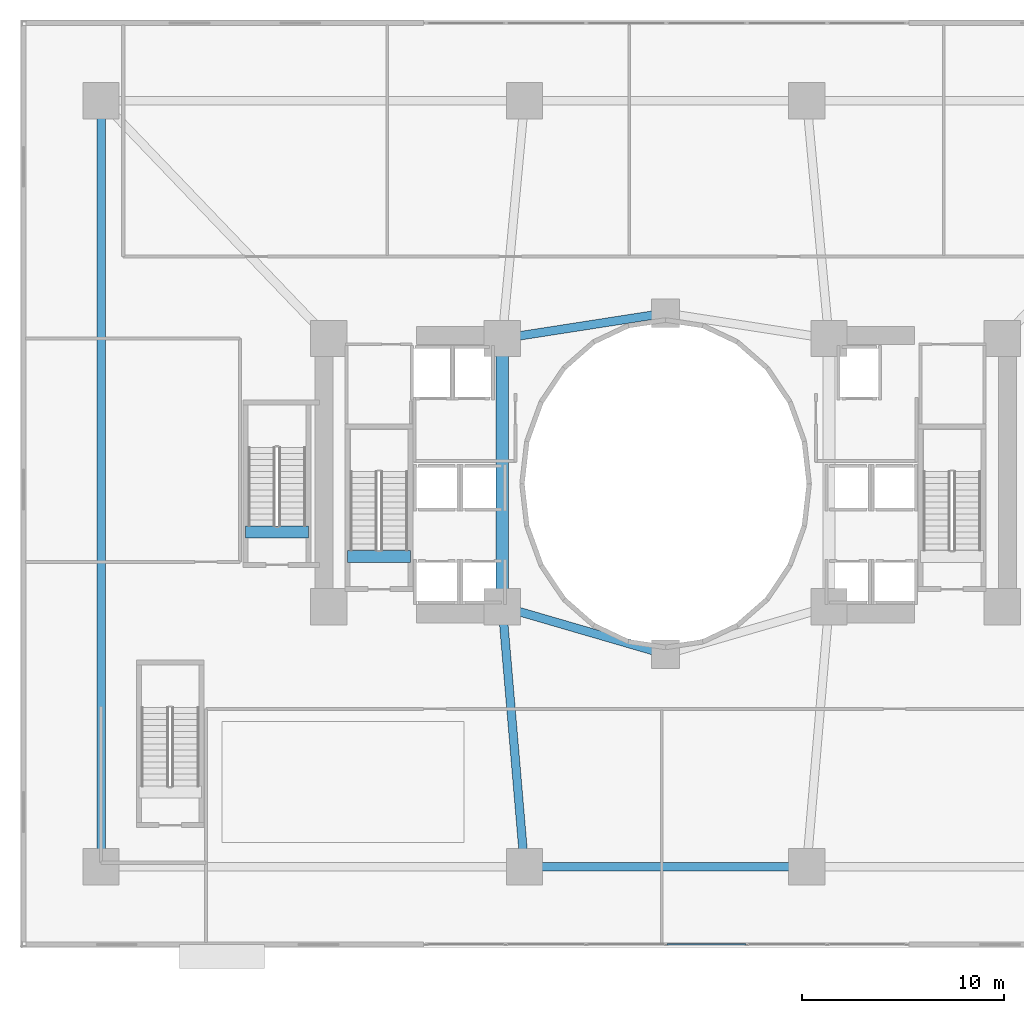
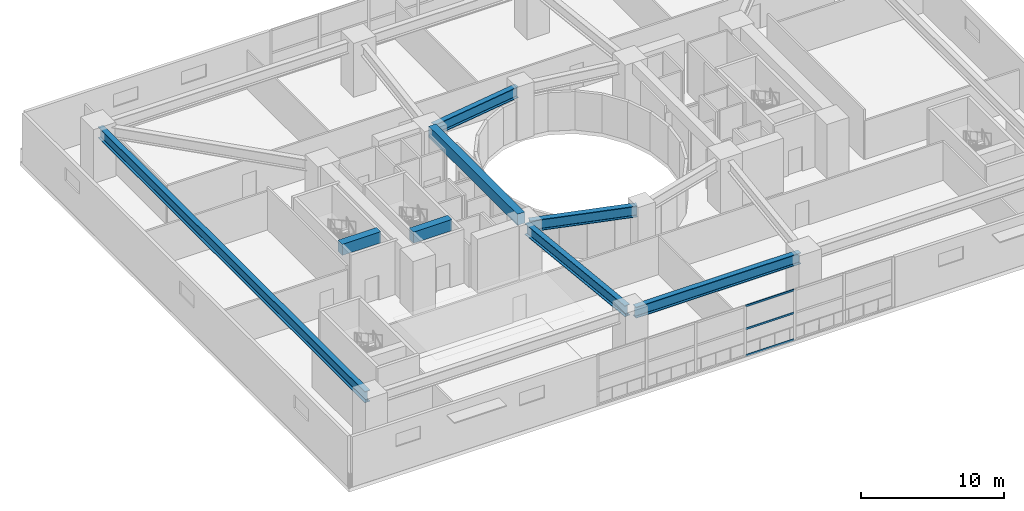
# One storey, part 3 of 20: 8 beams, 3 members, 1 element without a shape of its own.
"""IFC4 building model written with IfcOpenShell, lengths in metres."""

from ifc_helpers import new_model, si_unit, direction, frame, origin, origin_2d, place, context, subcontext, project, spatial, rectangle, hollow_rectangle, i_section, extrude, material, layer, layer_set, material_profile, profile_set, type_object, element, aggregate, save


model = new_model("IFC4")

# Units and contexts
model_context = context("Model", 3, precision=1e-05, world=origin(), true_north=direction((0.0, 1.0)))
body_context = subcontext(model_context, "Body", "Model", "MODEL_VIEW")
ifc_project = project(units=[si_unit("LENGTHUNIT", "METRE"), si_unit("AREAUNIT", "SQUARE_METRE"), si_unit("VOLUMEUNIT", "CUBIC_METRE"), si_unit("PLANEANGLEUNIT", "RADIAN"), si_unit("MASSUNIT", "GRAM", prefix="KILO")], contexts=[model_context])

# Site, building, storey
site_placement = place(None, origin())
site = spatial("IfcSite", under=ifc_project, at=site_placement, CompositionType="ELEMENT")
building_placement = place(site_placement, origin())
building = spatial("IfcBuilding", under=site, at=building_placement, Name="Solvane Sanctuary Tower", CompositionType="ELEMENT")
storey_placement = place(building_placement, frame((0.0, 0.0, 18.39990234375)))
storey = spatial("IfcBuildingStorey", under=building, at=storey_placement, Name="L05", CompositionType="ELEMENT", Elevation=18.39990234375)

# Beams
ifc_material_1 = material(Name="Concrete C70/85", Category="concrete")
ifc_material_profile_1 = material_profile(ifc_material_1, rectangle(XDim=0.60009765625, YDim=0.949951171875, at=origin_2d()), Name="RC600X950")
ifc_profile_set_1 = profile_set([ifc_material_profile_1], Name="Concrete C70/85")
beam_type_1 = type_object("IfcBeamType", Name="Beam B-COUPLE RC600X950", PredefinedType="LINTEL", material=ifc_profile_set_1)
beam_1_placement = place(storey_placement, frame((23.89990234375, 17.35009765625, 4.125), z_axis=(0.0, 1.0, 0.0), x_axis=(-1.0, 0.0, 0.0)))
element("IfcBeam", 1, at=beam_1_placement, inside=storey, type_object=beam_type_1, Name="L05 West Core Coupling Lintel", PredefinedType="LINTEL", context=body_context, shape_type="SweptSolid", body=[
    extrude(rectangle(XDim=0.60009765625, YDim=0.949951171875, at=origin_2d()), origin(), (0.0, 0.0, 1.0), 12.39990234375),
])
for number, where, z_axis, x_axis, name in (
    (2, (16.22998046875, 19.399169921875, 4.125), (1.0, 0.0, 0.0), (0.0, 1.0, 0.0), "L05 ST-1 Stair Floor Landing Trimmer"),
    (3, (11.169921875, 20.59912109375, 4.125), (1.0, 0.0, 0.0), (0.0, 1.0, 0.0), "L05 ST-3 Stair Floor Landing Trimmer"),
):
    element("IfcBeam", number, at=place(storey_placement, frame(where, z_axis=z_axis, x_axis=x_axis)), inside=storey, type_object=beam_type_1, Name=name, PredefinedType="LINTEL", context=body_context, shape_type="SweptSolid", body=[
        extrude(rectangle(XDim=0.60009765625, YDim=0.949951171875, at=origin_2d()), origin(), (0.0, 0.0, 1.0), 3.1201171875),
    ])
ifc_material_2 = material(Name="Steel ASTM A913 Grade 65", Category="steel")
ifc_material_profile_2 = material_profile(ifc_material_2, i_section(OverallWidth=0.423095703125, OverallDepth=0.947998046875, WebThickness=0.02392578125, FlangeThickness=0.042724609375, FilletRadius=0.02392578125, at=origin_2d()), Name="W36X302")
ifc_profile_set_2 = profile_set([ifc_material_profile_2], Name="Steel ASTM A913 Grade 65")
beam_type_2 = type_object("IfcBeamType", Name="Beam B-POD-GIRD W36X302", PredefinedType="BEAM", material=ifc_profile_set_2)
beam_2_placement = place(storey_placement, frame((25.35009765625, 4.0, 3.80419921875), z_axis=(1.0, 0.0, 0.0), x_axis=(0.0, 1.0, 0.0)))
element("IfcBeam", 4, at=beam_2_placement, inside=storey, type_object=beam_type_2, Name="L05 Podium Primary Girder PG2", PredefinedType="BEAM", context=body_context, shape_type="SweptSolid", body=[
    extrude(i_section(OverallWidth=0.423095703125, OverallDepth=0.947998046875, WebThickness=0.02392578125, FlangeThickness=0.042724609375, FilletRadius=0.02392578125, at=origin_2d()), origin(), (0.0, 0.0, 1.0), 13.2998046875),
])
beam_3_placement = place(storey_placement, frame((4.0, 41.64990234375, 3.80419921875), z_axis=(0.0, -1.0, 0.0), x_axis=(1.0, 0.0, 0.0)))
element("IfcBeam", 5, at=beam_3_placement, inside=storey, type_object=beam_type_2, Name="L05 Podium Primary Girder PG8", PredefinedType="BEAM", context=body_context, shape_type="SweptSolid", body=[
    extrude(i_section(OverallWidth=0.423095703125, OverallDepth=0.947998046875, WebThickness=0.02392578125, FlangeThickness=0.042724609375, FilletRadius=0.02392578125, at=origin_2d()), origin(), (0.0, 0.0, 1.0), 37.2998046875),
])
beam_4_placement = place(storey_placement, frame((24.97021484375, 4.3486328125, 3.80419921875), z_axis=(-0.084962372295, 0.996384160499, 0.0), x_axis=(-0.996384160499, -0.084962372295, 0.0)))
element("IfcBeam", 6, at=beam_4_placement, inside=storey, type_object=beam_type_2, Name="L05 Podium Primary Girder PG9", PredefinedType="BEAM", context=body_context, shape_type="SweptSolid", body=[
    extrude(i_section(OverallWidth=0.423095703125, OverallDepth=0.947998046875, WebThickness=0.02392578125, FlangeThickness=0.042724609375, FilletRadius=0.02392578125, at=origin_2d()), origin(), (0.0, 0.0, 1.0), 12.246826171875),
])
beam_5_placement = place(storey_placement, frame((24.236083984375, 16.802001953125, 3.80419921875), z_axis=(0.960084424813, -0.279710380987, 0.0), x_axis=(0.279710380987, 0.960084424813, 0.0)))
element("IfcBeam", 7, at=beam_5_placement, inside=storey, type_object=beam_type_2, Name="L05 Podium Primary Girder PG17", PredefinedType="BEAM", context=body_context, shape_type="SweptSolid", body=[
    extrude(i_section(OverallWidth=0.423095703125, OverallDepth=0.947998046875, WebThickness=0.02392578125, FlangeThickness=0.042724609375, FilletRadius=0.02392578125, at=origin_2d()), origin(), (0.0, 0.0, 1.0), 7.73681640625),
])
beam_6_placement = place(storey_placement, frame((24.245849609375, 30.25390625, 3.80419921875), z_axis=(0.988118117449, 0.153696408448, 0.0), x_axis=(-0.153696408448, 0.988118117449, 0.0)))
element("IfcBeam", 8, at=beam_6_placement, inside=storey, type_object=beam_type_2, Name="L05 Podium Primary Girder PG19", PredefinedType="BEAM", context=body_context, shape_type="SweptSolid", body=[
    extrude(i_section(OverallWidth=0.423095703125, OverallDepth=0.947998046875, WebThickness=0.02392578125, FlangeThickness=0.042724609375, FilletRadius=0.02392578125, at=origin_2d()), origin(), (0.0, 0.0, 1.0), 7.49755859375),
])

# Curtain wall, members
ifc_material_3 = material(Name="Anodised Aluminium 6063-T6", Category="aluminium")
ifc_layer = layer(ifc_material_3, 0.159912109375, Name="Anodised Aluminium 6063-T6")
ifc_layer_set = layer_set([ifc_layer], Name="Anodised Aluminium 6063-T6")
curtain_wall_type = type_object("IfcCurtainWallType", Name="Curtain Wall CW-POD", PredefinedType="NOTDEFINED", material=ifc_layer_set)
curtain_wall_placement = place(storey_placement, origin())
curtain_wall = element("IfcCurtainWall", 9, at=curtain_wall_placement, inside=storey, type_object=curtain_wall_type, Name="L05 Sanctuary Curtain Wall S2", PredefinedType="NOTDEFINED")
ifc_material_profile_3 = material_profile(ifc_material_3, hollow_rectangle(XDim=0.06494140625, YDim=0.159912109375, WallThickness=0.00341796875, at=origin_2d()), Name="ALU160X65X3.5")
ifc_profile_set_3 = profile_set([ifc_material_profile_3], Name="Anodised Aluminium 6063-T6")
member_type = type_object("IfcMemberType", Name="Member M-CW-TRN-1 ALU160X65X3.5", PredefinedType="USERDEFINED", material=ifc_profile_set_3)
member_1_placement = place(storey_placement, frame((32.077392578125, 0.14990234375, 0.03271484375), z_axis=(1.0, 0.0, 0.0), x_axis=(0.0, 1.0, 0.0)))
member_1 = element("IfcMember", 10, at=member_1_placement, type_object=member_type, Name="CW-POD transom 4.1", ObjectType="TRANSOM", PredefinedType="USERDEFINED", context=body_context, shape_type="SweptSolid", body=[
    extrude(hollow_rectangle(XDim=0.06494140625, YDim=0.159912109375, WallThickness=0.00341796875, at=origin_2d()), origin(), (0.0, 0.0, 1.0), 3.911865234375),
])
member_2_placement = place(storey_placement, frame((32.077392578125, 0.14990234375, 2.300048828125), z_axis=(1.0, 0.0, 0.0), x_axis=(0.0, 1.0, 0.0)))
member_2 = element("IfcMember", 11, at=member_2_placement, type_object=member_type, Name="CW-POD transom 4.2", ObjectType="TRANSOM", PredefinedType="USERDEFINED", context=body_context, shape_type="SweptSolid", body=[
    extrude(hollow_rectangle(XDim=0.06494140625, YDim=0.159912109375, WallThickness=0.00341796875, at=origin_2d()), origin(), (0.0, 0.0, 1.0), 3.911865234375),
])
member_3_placement = place(storey_placement, frame((32.077392578125, 0.14990234375, 4.24755859375), z_axis=(1.0, 0.0, 0.0), x_axis=(0.0, 1.0, 0.0)))
member_3 = element("IfcMember", 12, at=member_3_placement, type_object=member_type, Name="CW-POD transom 4.3", ObjectType="TRANSOM", PredefinedType="USERDEFINED", context=body_context, shape_type="SweptSolid", body=[
    extrude(hollow_rectangle(XDim=0.06494140625, YDim=0.159912109375, WallThickness=0.00341796875, at=origin_2d()), origin(), (0.0, 0.0, 1.0), 3.911865234375),
])
aggregate(curtain_wall, [member_1, member_2, member_3])

save(model, "model.ifc")
